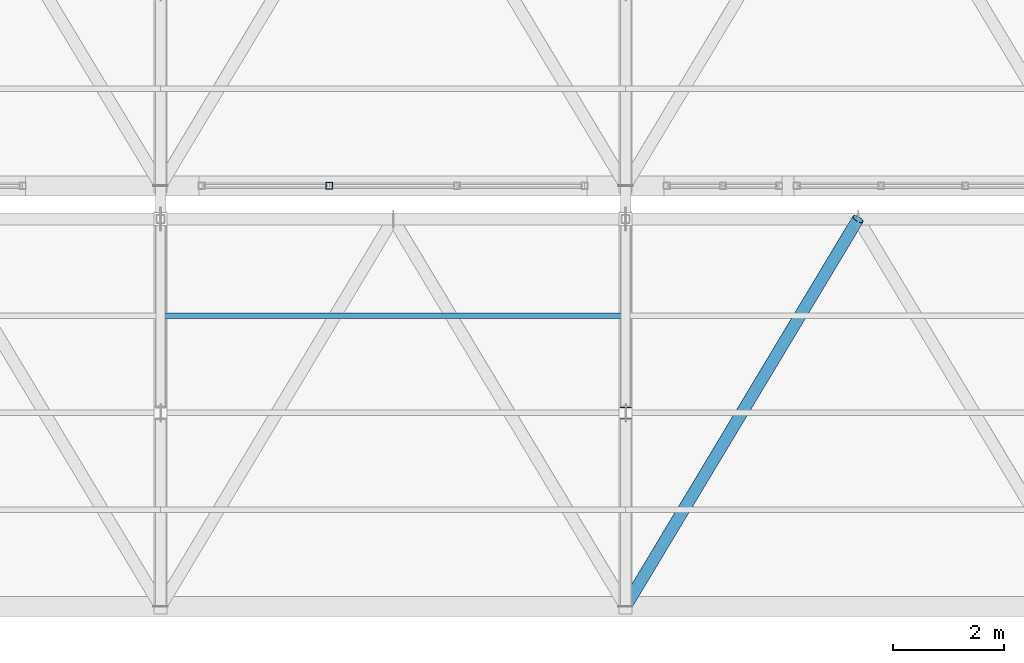
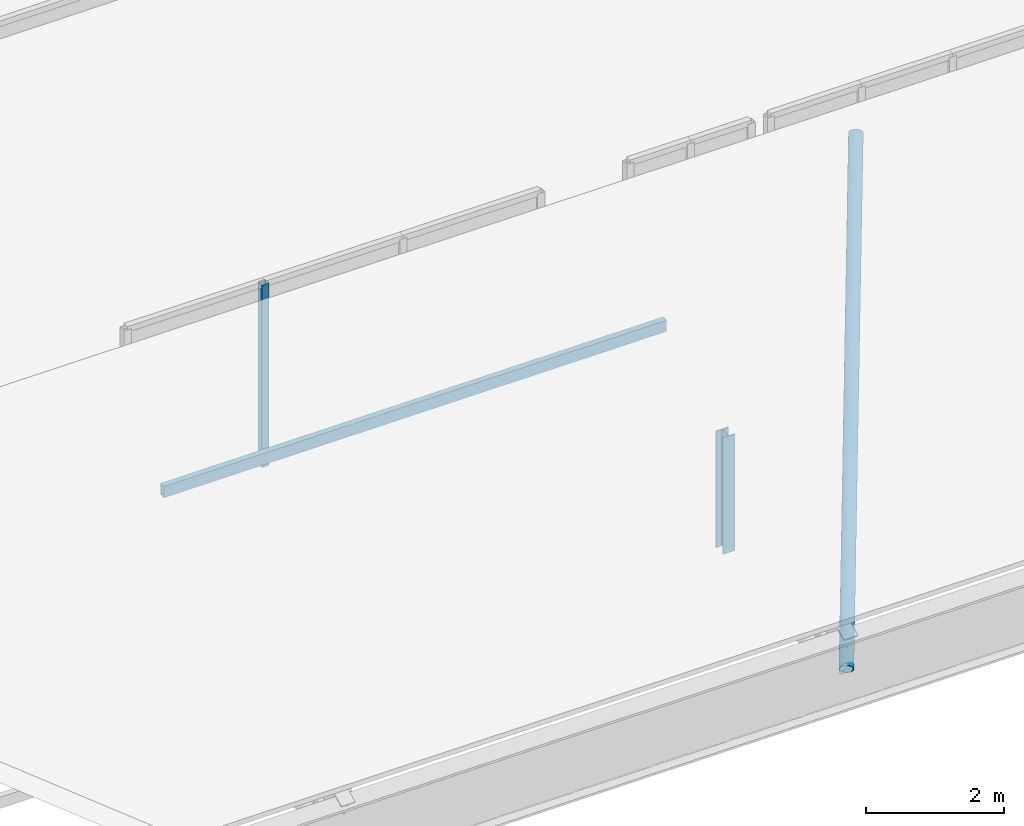
# One storey, part 22 of 57: 4 members, 1 element without a shape of its own.
"""IFC4 building model written with IfcOpenShell, lengths in metres."""

from ifc_helpers import new_model, si_unit, direction, frame, origin, origin_2d, place, context, subcontext, project, spatial, hollow_rectangle, hollow_circle, i_section, extrude, material, material_profile, profile_set, type_object, element, aggregate, save


model = new_model("IFC4")

# Units and contexts
model_context = context("Model", 3, precision=1e-05, world=origin(), true_north=direction((0.0, 1.0)))
body_context = subcontext(model_context, "Body", "Model", "MODEL_VIEW")
ifc_project = project(units=[si_unit("LENGTHUNIT", "METRE"), si_unit("AREAUNIT", "SQUARE_METRE"), si_unit("VOLUMEUNIT", "CUBIC_METRE"), si_unit("PLANEANGLEUNIT", "RADIAN"), si_unit("MASSUNIT", "GRAM", prefix="KILO")], contexts=[model_context])

# Site, building, storey
site_placement = place(None, origin())
site = spatial("IfcSite", under=ifc_project, at=site_placement, CompositionType="ELEMENT")
building_placement = place(site_placement, origin())
building = spatial("IfcBuilding", under=site, at=building_placement, Name="Zuvorla Pavilion Media Centre", CompositionType="ELEMENT")
storey_placement = place(building_placement, frame((0.0, 0.0, 18.0)))
storey = spatial("IfcBuildingStorey", under=building, at=storey_placement, Name="L04", CompositionType="ELEMENT", Elevation=18.0)

# Curtain wall, member
ifc_material_1 = material(Name="Unitised anodised aluminium and solar glass curtain wall", Category="aluminium")
curtain_wall_type = type_object("IfcCurtainWallType", Name="CW-SYS-92", PredefinedType="USERDEFINED", material=ifc_material_1)
curtain_wall_placement = place(storey_placement, origin())
curtain_wall = element("IfcCurtainWall", 1, at=curtain_wall_placement, inside=storey, type_object=curtain_wall_type, Name="L04 curtain wall CW92 226", ObjectType="CURTAIN WALL", PredefinedType="USERDEFINED")
ifc_material_2 = material(Name="Anodised aluminium 6063-T6", Category="aluminium")
ifc_material_profile_1 = material_profile(ifc_material_2, hollow_rectangle(XDim=0.1201171875, YDim=0.1201171875, WallThickness=0.0048828125, at=origin_2d()), Name="ALU MULL 120x120")
ifc_profile_set_1 = profile_set([ifc_material_profile_1], Name="Anodised aluminium 6063-T6")
member_type_1 = type_object("IfcMemberType", Name="CW-MULL-120", PredefinedType="MULLION", material=ifc_profile_set_1)
member_1_placement = place(storey_placement, frame((137.048095703125, 13.60009765625, 0.0), z_axis=(0.0, 0.0, 1.0), x_axis=(1.0, 0.0, 0.0)))
member_1 = element("IfcMember", 2, at=member_1_placement, type_object=member_type_1, Name="CW92 mullion 2", PredefinedType="MULLION", context=body_context, shape_type="SweptSolid", body=[
    extrude(hollow_rectangle(XDim=0.1201171875, YDim=0.1201171875, WallThickness=0.0048828125, at=origin_2d()), origin(), (0.0, 0.0, 1.0), 3.219970703125),
])
aggregate(curtain_wall, [member_1])

# Members
ifc_material_3 = material(Name="Steel S355", Category="steel")
ifc_material_profile_2 = material_profile(ifc_material_3, hollow_circle(Radius=0.109619140625, WallThickness=0.010009765625, at=origin_2d()), Name="CHS 219.1x10")
ifc_profile_set_2 = profile_set([ifc_material_profile_2], Name="Steel S355")
member_type_2 = type_object("IfcMemberType", Name="MEM-BRC-CHS219", PredefinedType="BRACE", material=ifc_profile_set_2)
member_2_placement = place(storey_placement, frame((142.39990234375, 6.0, -0.8798828125), z_axis=(0.467282929861, 0.77876866804, 0.418528404221), x_axis=(-0.857482370257, 0.514513347444, 0.0)))
element("IfcMember", 3, at=member_2_placement, inside=storey, type_object=member_type_2, Name="L04 diagonal brace TB02 547", PredefinedType="BRACE", context=body_context, shape_type="SweptSolid", body=[
    extrude(hollow_circle(Radius=0.109619140625, WallThickness=0.010009765625, at=origin_2d()), origin(), (0.0, 0.0, 1.0), 8.988525390625),
])
ifc_material_profile_3 = material_profile(ifc_material_3, hollow_rectangle(XDim=0.10009765625, YDim=0.199951171875, WallThickness=0.008056640625, at=origin_2d()), Name="RHS 200x100x8")
ifc_profile_set_3 = profile_set([ifc_material_profile_3], Name="Steel S355")
member_type_3 = type_object("IfcMemberType", Name="MEM-PUR-RHS200", PredefinedType="PURLIN", material=ifc_profile_set_3)
member_3_placement = place(storey_placement, frame((134.0, 11.25, 2.031982421875), z_axis=(1.0, 0.0, 0.0), x_axis=(0.0, 1.0, 0.0)))
element("IfcMember", 4, at=member_3_placement, inside=storey, type_object=member_type_3, Name="L04 purlin PR01 545", PredefinedType="PURLIN", context=body_context, shape_type="SweptSolid", body=[
    extrude(hollow_rectangle(XDim=0.10009765625, YDim=0.199951171875, WallThickness=0.008056640625, at=origin_2d()), origin(), (0.0, 0.0, 1.0), 8.39990234375),
])
ifc_material_profile_4 = material_profile(ifc_material_3, i_section(OverallWidth=0.205810546875, OverallDepth=0.209716796875, WebThickness=0.009521484375, FlangeThickness=0.01416015625, FilletRadius=0.01025390625, at=origin_2d()), Name="UC 203x203x60")
ifc_profile_set_4 = profile_set([ifc_material_profile_4], Name="Steel S355")
member_type_4 = type_object("IfcMemberType", Name="MEM-STR-UC203", PredefinedType="STRUT", material=ifc_profile_set_4)
member_4_placement = place(storey_placement, frame((142.39990234375, 9.5, -0.8798828125), z_axis=(0.0, 0.0, 1.0), x_axis=(1.0, 0.0, 0.0)))
element("IfcMember", 5, at=member_4_placement, inside=storey, type_object=member_type_4, Name="L04 vertical strut TS02 517", PredefinedType="STRUT", context=body_context, shape_type="SweptSolid", body=[
    extrude(i_section(OverallWidth=0.205810546875, OverallDepth=0.209716796875, WebThickness=0.009521484375, FlangeThickness=0.01416015625, FilletRadius=0.01025390625, at=origin_2d()), origin(), (0.0, 0.0, 1.0), 2.06201171875),
])

save(model, "model.ifc")
